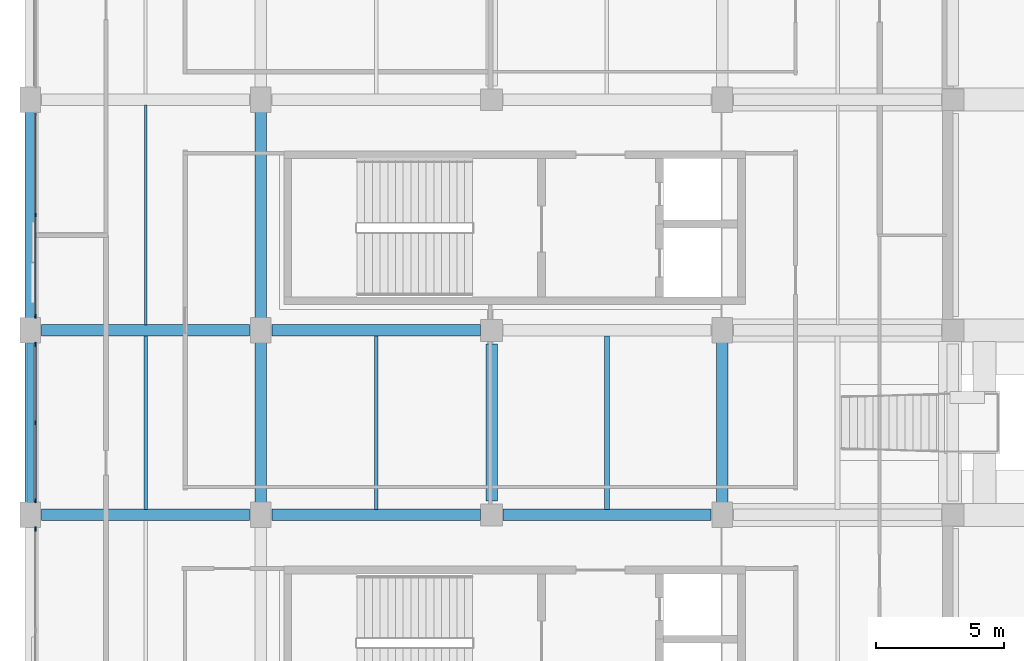
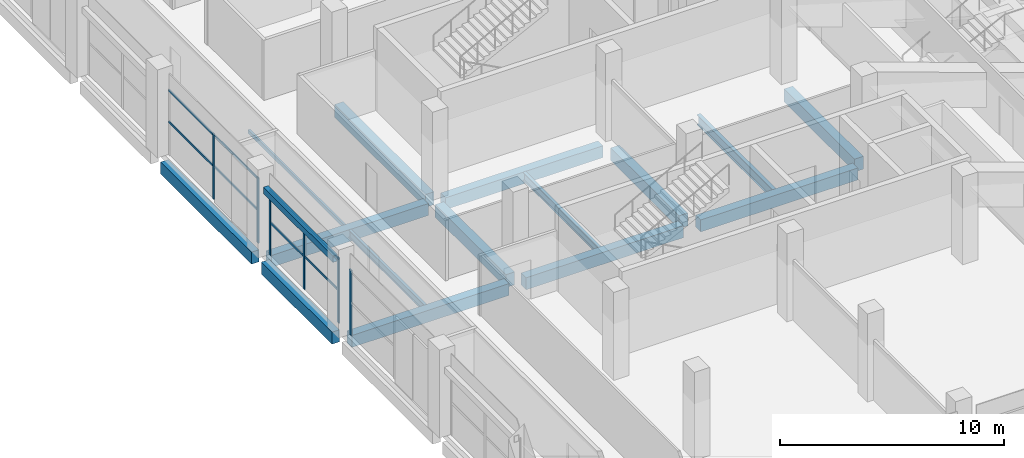
# One storey, part 23 of 66: 15 beams, 11 members, 3 elements without a shape of their own.
"""IFC4 building model written with IfcOpenShell, lengths in metres."""

from ifc_helpers import new_model, si_unit, direction, frame, origin, origin_2d, place, context, subcontext, project, spatial, rectangle, hollow_rectangle, i_section, extrude, material, material_profile, profile_set, type_object, element, aggregate, save


model = new_model("IFC4")

# Units and contexts
model_context = context("Model", 3, precision=1e-05, world=origin(), true_north=direction((0.0, 1.0)))
body_context = subcontext(model_context, "Body", "Model", "MODEL_VIEW")
ifc_project = project(units=[si_unit("LENGTHUNIT", "METRE"), si_unit("AREAUNIT", "SQUARE_METRE"), si_unit("VOLUMEUNIT", "CUBIC_METRE"), si_unit("PLANEANGLEUNIT", "RADIAN"), si_unit("MASSUNIT", "GRAM", prefix="KILO"), si_unit("THERMODYNAMICTEMPERATUREUNIT", "KELVIN"), si_unit("POWERUNIT", "WATT")], contexts=[model_context])

# Site, building, storey
site_placement = place(None, origin())
site = spatial("IfcSite", under=ifc_project, at=site_placement, CompositionType="ELEMENT")
building_placement = place(site_placement, origin())
building = spatial("IfcBuilding", under=site, at=building_placement, Name="Sindhuravela Promenade Stadium", CompositionType="ELEMENT")
storey_placement = place(building_placement, frame((0.0, 0.0, 19.199951171875)))
storey = spatial("IfcBuildingStorey", under=building, at=storey_placement, Name="L04", CompositionType="ELEMENT", Elevation=19.199951171875)

# Curtain wall, member
ifc_material_1 = material(Name="Anodised architectural aluminium 6063-T6", Category="aluminium")
curtain_wall_type_1 = type_object("IfcCurtainWallType", Name="CW-MOD-3", PredefinedType="NOTDEFINED", material=ifc_material_1)
curtain_wall_1_placement = place(storey_placement, origin())
curtain_wall_1 = element("IfcCurtainWall", 1, at=curtain_wall_1_placement, inside=storey, type_object=curtain_wall_type_1, Name="Bronze curtain wall CW-WEST-L04-050", PredefinedType="NOTDEFINED")
ifc_material_profile_1 = material_profile(ifc_material_1, rectangle(XDim=0.06005859375, YDim=0.179931640625, at=origin_2d()), Name="ALU M60x180")
ifc_profile_set_1 = profile_set([ifc_material_profile_1], Name="Anodised architectural aluminium 6063-T6")
member_type_1 = type_object("IfcMemberType", Name="CW-MUL-3", PredefinedType="MULLION", material=ifc_profile_set_1)
member_1_placement = place(storey_placement, frame((0.199951171875, 60.64990234375, 0.0), z_axis=(0.0, 0.0, 1.0), x_axis=(1.0, 0.0, 0.0)))
member_1 = element("IfcMember", 2, at=member_1_placement, type_object=member_type_1, Name="Curtain wall mullion CW-WEST-L04-050-M3", PredefinedType="MULLION", context=body_context, shape_type="SweptSolid", body=[
    extrude(rectangle(XDim=0.06005859375, YDim=0.179931640625, at=origin_2d()), origin(), (0.0, 0.0, 1.0), 3.580078125),
])
aggregate(curtain_wall_1, [member_1])

# Curtain wall, members
curtain_wall_type_2 = type_object("IfcCurtainWallType", Name="CW-MOD-4", PredefinedType="NOTDEFINED", material=ifc_material_1)
curtain_wall_2_placement = place(storey_placement, origin())
curtain_wall_2 = element("IfcCurtainWall", 3, at=curtain_wall_2_placement, inside=storey, type_object=curtain_wall_type_2, Name="Bronze curtain wall CW-WEST-L04-051", PredefinedType="NOTDEFINED")
ifc_material_profile_2 = material_profile(ifc_material_1, rectangle(XDim=0.06005859375, YDim=0.159912109375, at=origin_2d()), Name="ALU M60x160")
ifc_profile_set_2 = profile_set([ifc_material_profile_2], Name="Anodised architectural aluminium 6063-T6")
member_type_2 = type_object("IfcMemberType", Name="CW-MUL-4", PredefinedType="MULLION", material=ifc_profile_set_2)
member_2_placement = place(storey_placement, frame((0.199951171875, 61.75, 0.0), z_axis=(0.0, 0.0, 1.0), x_axis=(1.0, 0.0, 0.0)))
member_2 = element("IfcMember", 4, at=member_2_placement, type_object=member_type_2, Name="Curtain wall mullion CW-WEST-L04-051-M1", PredefinedType="MULLION", context=body_context, shape_type="SweptSolid", body=[
    extrude(rectangle(XDim=0.06005859375, YDim=0.159912109375, at=origin_2d()), origin(), (0.0, 0.0, 1.0), 3.580078125),
])
member_3_placement = place(storey_placement, frame((0.199951171875, 64.800048828125, 0.0), z_axis=(0.0, 0.0, 1.0), x_axis=(1.0, 0.0, 0.0)))
member_3 = element("IfcMember", 5, at=member_3_placement, type_object=member_type_2, Name="Curtain wall mullion CW-WEST-L04-051-M2", PredefinedType="MULLION", context=body_context, shape_type="SweptSolid", body=[
    extrude(rectangle(XDim=0.06005859375, YDim=0.159912109375, at=origin_2d()), origin(), (0.0, 0.0, 1.0), 3.580078125),
])
member_4_placement = place(storey_placement, frame((0.199951171875, 67.85009765625, 0.0), z_axis=(0.0, 0.0, 1.0), x_axis=(1.0, 0.0, 0.0)))
member_4 = element("IfcMember", 6, at=member_4_placement, type_object=member_type_2, Name="Curtain wall mullion CW-WEST-L04-051-M3", PredefinedType="MULLION", context=body_context, shape_type="SweptSolid", body=[
    extrude(rectangle(XDim=0.06005859375, YDim=0.159912109375, at=origin_2d()), origin(), (0.0, 0.0, 1.0), 3.580078125),
])

curtain_wall_type_3 = type_object("IfcCurtainWallType", Name="CW-MOD-5", PredefinedType="NOTDEFINED", material=ifc_material_1)
curtain_wall_3_placement = place(storey_placement, origin())
curtain_wall_3 = element("IfcCurtainWall", 7, at=curtain_wall_3_placement, inside=storey, type_object=curtain_wall_type_3, Name="Bronze curtain wall CW-WEST-L04-052", PredefinedType="NOTDEFINED")
ifc_material_profile_3 = material_profile(ifc_material_1, rectangle(XDim=0.06005859375, YDim=0.139892578125, at=origin_2d()), Name="ALU M60x140")
ifc_profile_set_3 = profile_set([ifc_material_profile_3], Name="Anodised architectural aluminium 6063-T6")
member_type_3 = type_object("IfcMemberType", Name="CW-MUL-5", PredefinedType="MULLION", material=ifc_profile_set_3)
member_5_placement = place(storey_placement, frame((0.199951171875, 68.949951171875, 0.0), z_axis=(0.0, 0.0, 1.0), x_axis=(1.0, 0.0, 0.0)))
member_5 = element("IfcMember", 8, at=member_5_placement, type_object=member_type_3, Name="Curtain wall mullion CW-WEST-L04-052-M1", PredefinedType="MULLION", context=body_context, shape_type="SweptSolid", body=[
    extrude(rectangle(XDim=0.06005859375, YDim=0.139892578125, at=origin_2d()), origin(), (0.0, 0.0, 1.0), 3.580078125),
])
member_6_placement = place(storey_placement, frame((0.199951171875, 72.89990234375, 0.0), z_axis=(0.0, 0.0, 1.0), x_axis=(1.0, 0.0, 0.0)))
member_6 = element("IfcMember", 9, at=member_6_placement, type_object=member_type_3, Name="Curtain wall mullion CW-WEST-L04-052-M2", PredefinedType="MULLION", context=body_context, shape_type="SweptSolid", body=[
    extrude(rectangle(XDim=0.06005859375, YDim=0.139892578125, at=origin_2d()), origin(), (0.0, 0.0, 1.0), 3.580078125),
])

# Member
ifc_material_profile_4 = material_profile(ifc_material_1, rectangle(XDim=0.06005859375, YDim=0.1201171875, at=origin_2d()), Name="ALU T60x120")
ifc_profile_set_4 = profile_set([ifc_material_profile_4], Name="Anodised architectural aluminium 6063-T6")
member_type_4 = type_object("IfcMemberType", Name="CW-TRN-4", PredefinedType="USERDEFINED", material=ifc_profile_set_4)
member_7_placement = place(storey_placement, frame((0.199951171875, 61.72509765625, 1.7900390625), z_axis=(0.0, 1.0, 0.0), x_axis=(-1.0, 0.0, 0.0)))
member_7 = element("IfcMember", 10, at=member_7_placement, type_object=member_type_4, Name="Curtain wall transom CW-WEST-L04-051-T1", ObjectType="TRANSOM", PredefinedType="USERDEFINED", context=body_context, shape_type="SweptSolid", body=[
    extrude(rectangle(XDim=0.06005859375, YDim=0.1201171875, at=origin_2d()), origin(), (0.0, 0.0, 1.0), 6.14990234375),
])

member_8_placement = place(storey_placement, frame((0.199951171875, 61.72509765625, 3.5), z_axis=(0.0, 1.0, 0.0), x_axis=(-1.0, 0.0, 0.0)))
member_8 = element("IfcMember", 11, at=member_8_placement, type_object=member_type_4, Name="Curtain wall transom CW-WEST-L04-051-T2", ObjectType="TRANSOM", PredefinedType="USERDEFINED", context=body_context, shape_type="SweptSolid", body=[
    extrude(rectangle(XDim=0.06005859375, YDim=0.1201171875, at=origin_2d()), origin(), (0.0, 0.0, 1.0), 6.14990234375),
])

aggregate(curtain_wall_2, [member_2, member_3, member_4, member_7, member_8])

ifc_material_profile_5 = material_profile(ifc_material_1, rectangle(XDim=0.06005859375, YDim=0.110107421875, at=origin_2d()), Name="ALU T60x110")
ifc_profile_set_5 = profile_set([ifc_material_profile_5], Name="Anodised architectural aluminium 6063-T6")
member_type_5 = type_object("IfcMemberType", Name="CW-TRN-5", PredefinedType="USERDEFINED", material=ifc_profile_set_5)
member_9_placement = place(storey_placement, frame((0.199951171875, 68.925048828125, 1.7900390625), z_axis=(0.0, 1.0, 0.0), x_axis=(-1.0, 0.0, 0.0)))
member_9 = element("IfcMember", 12, at=member_9_placement, type_object=member_type_5, Name="Curtain wall transom CW-WEST-L04-052-T1", ObjectType="TRANSOM", PredefinedType="USERDEFINED", context=body_context, shape_type="SweptSolid", body=[
    extrude(rectangle(XDim=0.06005859375, YDim=0.110107421875, at=origin_2d()), origin(), (0.0, 0.0, 1.0), 7.949951171875),
])

member_10_placement = place(storey_placement, frame((0.199951171875, 68.925048828125, 3.5), z_axis=(0.0, 1.0, 0.0), x_axis=(-1.0, 0.0, 0.0)))
member_10 = element("IfcMember", 13, at=member_10_placement, type_object=member_type_5, Name="Curtain wall transom CW-WEST-L04-052-T2", ObjectType="TRANSOM", PredefinedType="USERDEFINED", context=body_context, shape_type="SweptSolid", body=[
    extrude(rectangle(XDim=0.06005859375, YDim=0.110107421875, at=origin_2d()), origin(), (0.0, 0.0, 1.0), 7.949951171875),
])

aggregate(curtain_wall_3, [member_5, member_6, member_9, member_10])

# Beams
ifc_material_2 = material(Name="Concrete M40", Category="concrete")
ifc_material_profile_6 = material_profile(ifc_material_2, rectangle(XDim=0.39990234375, YDim=0.64990234375, at=origin_2d()), Name="RC 400x650")
ifc_profile_set_6 = profile_set([ifc_material_profile_6], Name="Concrete M40")
beam_type_1 = type_object("IfcBeamType", Name="RC-BM-400x650", PredefinedType="SPANDREL", material=ifc_profile_set_6)
beam_1_placement = place(storey_placement, frame((0.0, 61.639892578125, -0.64501953125), z_axis=(0.0, 1.0, 0.0), x_axis=(-1.0, 0.0, 0.0)))
element("IfcBeam", 14, at=beam_1_placement, inside=storey, type_object=beam_type_1, Name="Primary beam SP01 WEST L04", PredefinedType="SPANDREL", context=body_context, shape_type="SweptSolid", body=[
    extrude(rectangle(XDim=0.39990234375, YDim=0.64990234375, at=origin_2d()), origin(), (0.0, 0.0, 1.0), 6.320068359375),
])
beam_2_placement = place(storey_placement, frame((0.0, 68.840087890625, -0.64501953125), z_axis=(0.0, 1.0, 0.0), x_axis=(-1.0, 0.0, 0.0)))
element("IfcBeam", 15, at=beam_2_placement, inside=storey, type_object=beam_type_1, Name="Primary beam SP01 WEST L04", PredefinedType="SPANDREL", context=body_context, shape_type="SweptSolid", body=[
    extrude(rectangle(XDim=0.39990234375, YDim=0.64990234375, at=origin_2d()), origin(), (0.0, 0.0, 1.0), 8.119873046875),
])
ifc_material_profile_7 = material_profile(ifc_material_2, rectangle(XDim=0.449951171875, YDim=0.64990234375, at=origin_2d()), Name="RC 450x650")
ifc_profile_set_7 = profile_set([ifc_material_profile_7], Name="Concrete M40")
beam_type_2 = type_object("IfcBeamType", Name="RC-BM-450x650", PredefinedType="T_BEAM", material=ifc_profile_set_7)
for number, where, z_axis, x_axis, name in (
    (16, (0.43994140625, 61.199951171875, -0.64501953125), (1.0, 0.0, 0.0), (0.0, 1.0, 0.0), "Primary girder GB08 WEST L04"),
    (17, (9.43994140625, 61.199951171875, -0.64501953125), (1.0, 0.0, 0.0), (0.0, 1.0, 0.0), "Primary girder GB08 WEST L04"),
    (18, (18.43994140625, 61.199951171875, -0.64501953125), (1.0, 0.0, 0.0), (0.0, 1.0, 0.0), "Primary girder GB08 WEST L04"),
    (19, (0.43994140625, 68.39990234375, -0.64501953125), (1.0, 0.0, 0.0), (0.0, 1.0, 0.0), "Primary girder GB08 WEST L04"),
    (20, (9.43994140625, 68.39990234375, -0.64501953125), (1.0, 0.0, 0.0), (0.0, 1.0, 0.0), "Primary girder GB08 WEST L04"),
):
    element("IfcBeam", number, at=place(storey_placement, frame(where, z_axis=z_axis, x_axis=x_axis)), inside=storey, type_object=beam_type_2, Name=name, PredefinedType="T_BEAM", context=body_context, shape_type="SweptSolid", body=[
        extrude(rectangle(XDim=0.449951171875, YDim=0.64990234375, at=origin_2d()), origin(), (0.0, 0.0, 1.0), 8.1201171875),
    ])
ifc_material_profile_8 = material_profile(ifc_material_2, rectangle(XDim=0.449951171875, YDim=0.699951171875, at=origin_2d()), Name="RC 450x700")
ifc_profile_set_8 = profile_set([ifc_material_profile_8], Name="Concrete M40")
beam_type_3 = type_object("IfcBeamType", Name="RC-BM-450x700", PredefinedType="BEAM", material=ifc_profile_set_8)
beam_3_placement = place(storey_placement, frame((9.0, 61.639892578125, -0.669921875), z_axis=(0.0, 1.0, 0.0), x_axis=(-1.0, 0.0, 0.0)))
element("IfcBeam", 21, at=beam_3_placement, inside=storey, type_object=beam_type_3, Name="Primary beam GB07 WEST L04", PredefinedType="BEAM", context=body_context, shape_type="SweptSolid", body=[
    extrude(rectangle(XDim=0.449951171875, YDim=0.699951171875, at=origin_2d()), origin(), (0.0, 0.0, 1.0), 6.320068359375),
])
beam_4_placement = place(storey_placement, frame((9.0, 68.840087890625, -0.669921875), z_axis=(0.0, 1.0, 0.0), x_axis=(-1.0, 0.0, 0.0)))
element("IfcBeam", 22, at=beam_4_placement, inside=storey, type_object=beam_type_3, Name="Primary beam GB07 WEST L04", PredefinedType="BEAM", context=body_context, shape_type="SweptSolid", body=[
    extrude(rectangle(XDim=0.449951171875, YDim=0.699951171875, at=origin_2d()), origin(), (0.0, 0.0, 1.0), 8.119873046875),
])
beam_5_placement = place(storey_placement, frame((18.0, 61.739990234375, -0.669921875), z_axis=(0.0, 1.0, 0.0), x_axis=(-1.0, 0.0, 0.0)))
element("IfcBeam", 23, at=beam_5_placement, inside=storey, type_object=beam_type_3, Name="Primary beam GB07 WEST L04", PredefinedType="BEAM", context=body_context, shape_type="SweptSolid", body=[
    extrude(rectangle(XDim=0.449951171875, YDim=0.699951171875, at=origin_2d()), origin(), (0.0, 0.0, 1.0), 6.1201171875),
])
beam_6_placement = place(storey_placement, frame((27.0, 61.639892578125, -0.669921875), z_axis=(0.0, 1.0, 0.0), x_axis=(-1.0, 0.0, 0.0)))
element("IfcBeam", 24, at=beam_6_placement, inside=storey, type_object=beam_type_3, Name="Primary beam GB07 WEST L04", PredefinedType="BEAM", context=body_context, shape_type="SweptSolid", body=[
    extrude(rectangle(XDim=0.449951171875, YDim=0.699951171875, at=origin_2d()), origin(), (0.0, 0.0, 1.0), 6.320068359375),
])
ifc_material_3 = material(Name="Steel E350 (IS 2062 E350BR)", Category="steel")
ifc_material_profile_9 = material_profile(ifc_material_3, hollow_rectangle(XDim=0.10009765625, YDim=0.199951171875, WallThickness=0.008056640625, at=origin_2d()), Name="RHS 200x100x8")
ifc_profile_set_9 = profile_set([ifc_material_profile_9], Name="Steel E350 (IS 2062 E350BR)")
beam_type_4 = type_object("IfcBeamType", Name="ST-BM-LNT200", PredefinedType="LINTEL", material=ifc_profile_set_9)
beam_7_placement = place(storey_placement, frame((4.5, 68.614990234375, -0.419921875), z_axis=(0.0, 1.0, 0.0), x_axis=(-1.0, 0.0, 0.0)))
element("IfcBeam", 25, at=beam_7_placement, inside=storey, type_object=beam_type_4, Name="Secondary floor joist LN01 WEST L04", PredefinedType="LINTEL", context=body_context, shape_type="SweptSolid", body=[
    extrude(hollow_rectangle(XDim=0.10009765625, YDim=0.199951171875, WallThickness=0.008056640625, at=origin_2d()), origin(), (0.0, 0.0, 1.0), 8.570068359375),
])
ifc_material_profile_10 = material_profile(ifc_material_3, i_section(OverallWidth=0.139892578125, OverallDepth=0.39990234375, WebThickness=0.0087890625, FlangeThickness=0.01611328125, FilletRadius=0.013916015625, at=origin_2d()), Name="ISMB 400")
ifc_profile_set_10 = profile_set([ifc_material_profile_10], Name="Steel E350 (IS 2062 E350BR)")
beam_type_5 = type_object("IfcBeamType", Name="ST-BM-MB400", PredefinedType="BEAM", material=ifc_profile_set_10)
beam_8_placement = place(storey_placement, frame((4.5, 61.4150390625, -0.52001953125), z_axis=(0.0, 1.0, 0.0), x_axis=(-1.0, 0.0, 0.0)))
element("IfcBeam", 26, at=beam_8_placement, inside=storey, type_object=beam_type_5, Name="Secondary floor joist SB05 WEST L04", PredefinedType="BEAM", context=body_context, shape_type="SweptSolid", body=[
    extrude(i_section(OverallWidth=0.139892578125, OverallDepth=0.39990234375, WebThickness=0.0087890625, FlangeThickness=0.01611328125, FilletRadius=0.013916015625, at=origin_2d()), origin(), (0.0, 0.0, 1.0), 6.77001953125),
])
ifc_material_profile_11 = material_profile(ifc_material_3, i_section(OverallWidth=0.14990234375, OverallDepth=0.449951171875, WebThickness=0.009521484375, FlangeThickness=0.017333984375, FilletRadius=0.014892578125, at=origin_2d()), Name="ISMB 450")
ifc_profile_set_11 = profile_set([ifc_material_profile_11], Name="Steel E350 (IS 2062 E350BR)")
beam_type_6 = type_object("IfcBeamType", Name="ST-BM-MB450", PredefinedType="BEAM", material=ifc_profile_set_11)
beam_9_placement = place(storey_placement, frame((13.5, 61.4150390625, -0.544921875), z_axis=(0.0, 1.0, 0.0), x_axis=(-1.0, 0.0, 0.0)))
element("IfcBeam", 27, at=beam_9_placement, inside=storey, type_object=beam_type_6, Name="Secondary floor joist SB06 WEST L04", PredefinedType="BEAM", context=body_context, shape_type="SweptSolid", body=[
    extrude(i_section(OverallWidth=0.14990234375, OverallDepth=0.449951171875, WebThickness=0.009521484375, FlangeThickness=0.017333984375, FilletRadius=0.014892578125, at=origin_2d()), origin(), (0.0, 0.0, 1.0), 6.77001953125),
])
ifc_material_profile_12 = material_profile(ifc_material_3, i_section(OverallWidth=0.18994140625, OverallDepth=0.550048828125, WebThickness=0.01123046875, FlangeThickness=0.019287109375, FilletRadius=0.01806640625, at=origin_2d()), Name="ISMB 550")
ifc_profile_set_12 = profile_set([ifc_material_profile_12], Name="Steel E350 (IS 2062 E350BR)")
beam_type_7 = type_object("IfcBeamType", Name="ST-BM-MB550", PredefinedType="SPANDREL", material=ifc_profile_set_12)
beam_10_placement = place(storey_placement, frame((22.5, 61.4150390625, -0.594970703125), z_axis=(0.0, 1.0, 0.0), x_axis=(-1.0, 0.0, 0.0)))
element("IfcBeam", 28, at=beam_10_placement, inside=storey, type_object=beam_type_7, Name="Secondary floor joist SB08 WEST L04", PredefinedType="SPANDREL", context=body_context, shape_type="SweptSolid", body=[
    extrude(i_section(OverallWidth=0.18994140625, OverallDepth=0.550048828125, WebThickness=0.01123046875, FlangeThickness=0.019287109375, FilletRadius=0.01806640625, at=origin_2d()), origin(), (0.0, 0.0, 1.0), 6.77001953125),
])

# Member
ifc_material_profile_13 = material_profile(ifc_material_3, hollow_rectangle(XDim=0.25, YDim=0.35009765625, WallThickness=0.011962890625, at=origin_2d()), Name="RHS 350x250x12")
ifc_profile_set_13 = profile_set([ifc_material_profile_13], Name="Steel E350 (IS 2062 E350BR)")
member_type_6 = type_object("IfcMemberType", Name="ST-MB-RHS350", PredefinedType="CHORD", material=ifc_profile_set_13)
member_11_placement = place(storey_placement, frame((0.0, 61.69189453125, 3.60009765625), z_axis=(0.0, 1.0, 0.0), x_axis=(-1.0, 0.0, 0.0)))
element("IfcMember", 29, at=member_11_placement, inside=storey, type_object=member_type_6, Name="Portal tie member MC02-14", PredefinedType="CHORD", context=body_context, shape_type="SweptSolid", body=[
    extrude(hollow_rectangle(XDim=0.25, YDim=0.35009765625, WallThickness=0.011962890625, at=origin_2d()), origin(), (0.0, 0.0, 1.0), 6.216064453125),
])

save(model, "model.ifc")
